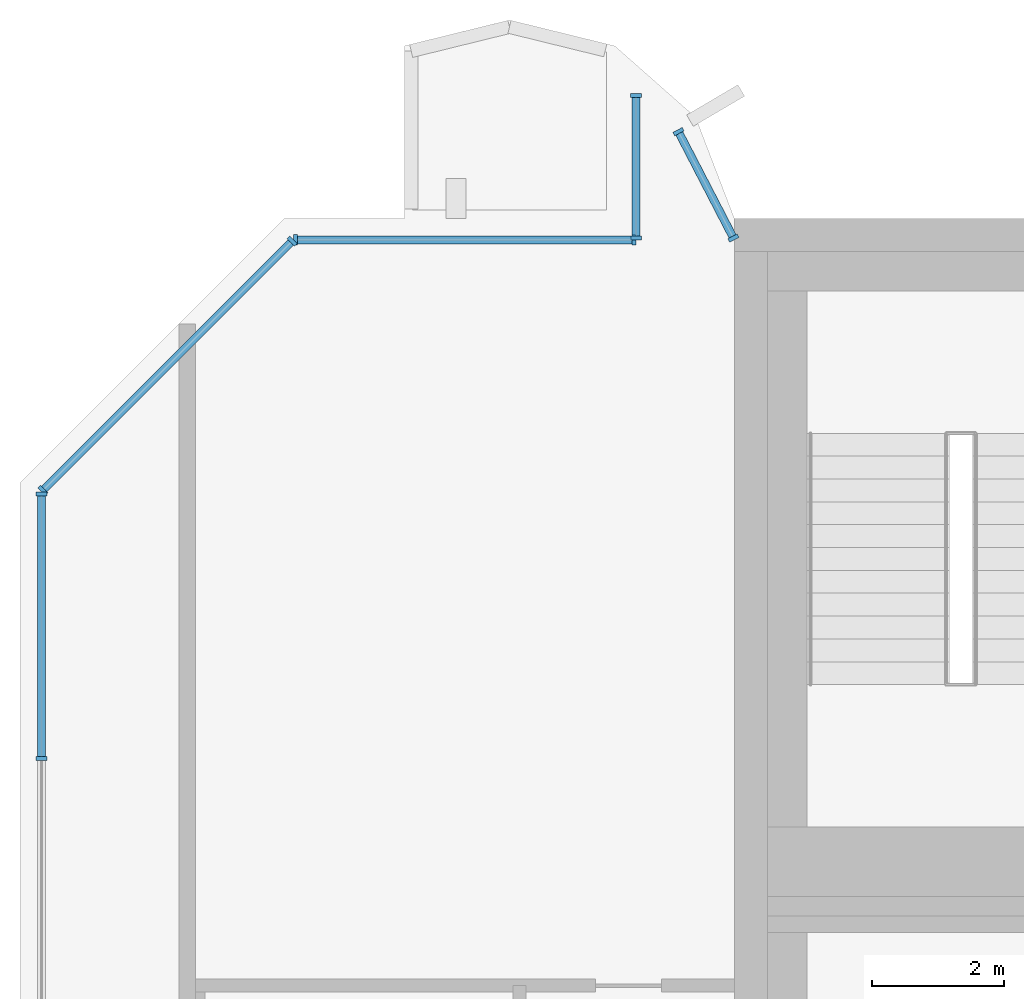
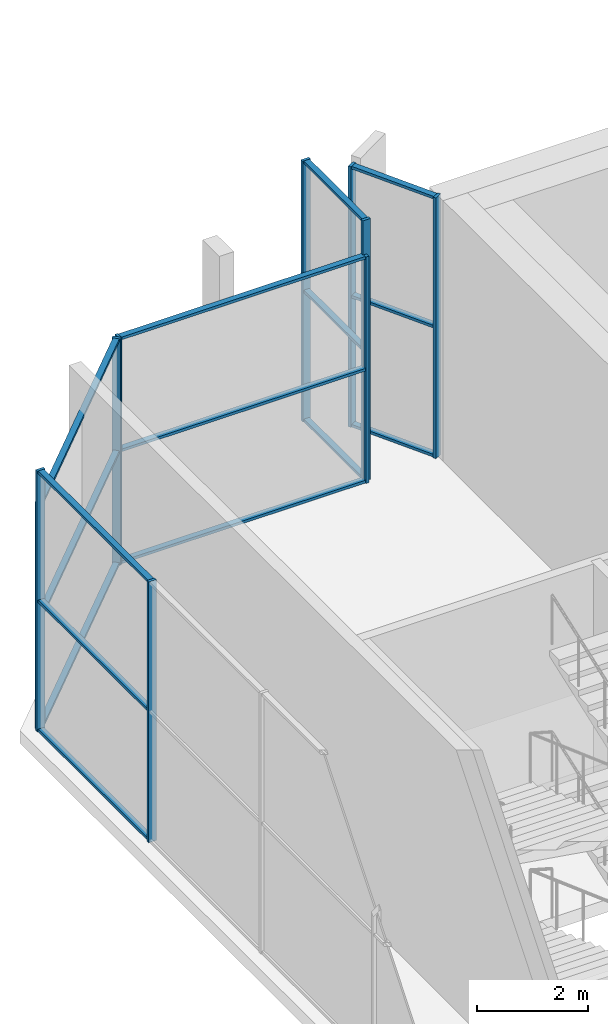
# One storey, part 6 of 17: 25 members, 5 elements without a shape of their own.
"""IFC4 building model written with IfcOpenShell, lengths in metres."""

from ifc_helpers import new_model, si_unit, direction, frame, origin, origin_2d, place, context, subcontext, project, spatial, rectangle, extrude, source, transform, mapped, material, material_profile, profile_set, type_object, element, aggregate, save


model = new_model("IFC4")

# Units and contexts
model_context = context("Model", 3, precision=1e-05, world=origin(), true_north=direction((0.0, 1.0)))
body_context = subcontext(model_context, "Body", "Model", "MODEL_VIEW")
ifc_project = project(units=[si_unit("LENGTHUNIT", "METRE"), si_unit("AREAUNIT", "SQUARE_METRE"), si_unit("VOLUMEUNIT", "CUBIC_METRE"), si_unit("PLANEANGLEUNIT", "RADIAN"), si_unit("MASSUNIT", "GRAM", prefix="KILO")], contexts=[model_context])

# Site, building, storey
site_placement = place(None, origin())
site = spatial("IfcSite", under=ifc_project, at=site_placement, CompositionType="ELEMENT")
building_placement = place(site_placement, origin())
building = spatial("IfcBuilding", under=site, at=building_placement, Name="Vanashikhar Sky Hotel", CompositionType="ELEMENT")
storey_placement = place(building_placement, frame((0.0, 0.0, 323.699951171875)))
storey = spatial("IfcBuildingStorey", under=building, at=storey_placement, Name="L77", CompositionType="ELEMENT", Elevation=323.699951171875)

# Curtain wall, members
ifc_material_1 = material(Name="Glass", Category="glass")
curtain_wall_type = type_object("IfcCurtainWallType", Name="Sky restaurant glazing", PredefinedType="NOTDEFINED", material=ifc_material_1)
curtain_wall_1_placement = place(storey_placement, origin())
curtain_wall_1 = element("IfcCurtainWall", 1, at=curtain_wall_1_placement, inside=storey, type_object=curtain_wall_type, Name="Sky restaurant glazing", PredefinedType="NOTDEFINED")
ifc_material_2 = material(Name="Aluminium 6063-T6", Category="aluminium")
ifc_material_profile_1 = material_profile(ifc_material_2, rectangle(XDim=0.159912109375, YDim=0.06005859375, at=origin_2d()))
ifc_profile_set_1 = profile_set([ifc_material_profile_1], Name="Aluminium 6063-T6")
member_type_1 = type_object("IfcMemberType", Name="Sky restaurant mullion 60 x 160", PredefinedType="MULLION", material=ifc_profile_set_1)
shared_shape_1 = source(origin(), body_context, "Body", "SweptSolid", [
    extrude(rectangle(XDim=0.159912109375, YDim=0.06005859375, at=origin_2d()), origin(), (0.0, 0.0, 1.0), 4.969970703125),
])
member_1_placement = place(storey_placement, frame((23.68310546875, 41.675048828125, 0.0), z_axis=(0.0, 0.0, 1.0), x_axis=(0.0, -1.0, 0.0)))
member_1 = element("IfcMember", 2, at=member_1_placement, type_object=member_type_1, Name="CW-5 mullion 1", PredefinedType="MULLION", context=body_context, shape_type="MappedRepresentation", body=[
    mapped(shared_shape_1, transform((0.0, 0.0, 0.0), scale=1.0)),
])
member_2_placement = place(storey_placement, frame((18.564697265625, 41.675048828125, 0.0), z_axis=(0.0, 0.0, 1.0), x_axis=(0.0, -1.0, 0.0)))
member_2 = element("IfcMember", 3, at=member_2_placement, type_object=member_type_1, Name="CW-5 mullion 2", PredefinedType="MULLION", context=body_context, shape_type="MappedRepresentation", body=[
    mapped(shared_shape_1, transform((0.0, 0.0, 0.0), scale=1.0)),
])

curtain_wall_2_placement = place(storey_placement, origin())
curtain_wall_2 = element("IfcCurtainWall", 4, at=curtain_wall_2_placement, inside=storey, type_object=curtain_wall_type, Name="Sky restaurant glazing", PredefinedType="NOTDEFINED")
member_3_placement = place(storey_placement, frame((18.513427734375, 41.65380859375, 0.0), z_axis=(0.0, 0.0, 1.0), x_axis=(0.707106781187, -0.707106781187, 0.0)))
member_3 = element("IfcMember", 5, at=member_3_placement, type_object=member_type_1, Name="CW-5 mullion 1", PredefinedType="MULLION", context=body_context, shape_type="MappedRepresentation", body=[
    mapped(shared_shape_1, transform((0.0, 0.0, 0.0), scale=1.0)),
])
member_4_placement = place(storey_placement, frame((14.74609375, 37.88671875, 0.0), z_axis=(0.0, 0.0, 1.0), x_axis=(0.707106781187, -0.707106781187, 0.0)))
member_4 = element("IfcMember", 6, at=member_4_placement, type_object=member_type_1, Name="CW-5 mullion 2", PredefinedType="MULLION", context=body_context, shape_type="MappedRepresentation", body=[
    mapped(shared_shape_1, transform((0.0, 0.0, 0.0), scale=1.0)),
])

curtain_wall_3_placement = place(storey_placement, origin())
curtain_wall_3 = element("IfcCurtainWall", 7, at=curtain_wall_3_placement, inside=storey, type_object=curtain_wall_type, Name="Sky restaurant glazing", PredefinedType="NOTDEFINED")
shared_shape_2 = source(origin(), body_context, "Body", "SweptSolid", [
    extrude(rectangle(XDim=0.159912109375, YDim=0.06005859375, at=origin_2d()), origin(), (0.0, 0.0, 1.0), 5.719970703125),
])
member_5_placement = place(storey_placement, frame((25.186279296875, 41.70166015625, 0.0), z_axis=(0.0, 0.0, 1.0), x_axis=(-0.888073920281, -0.459700676655, 0.0)))
member_5 = element("IfcMember", 8, at=member_5_placement, type_object=member_type_1, Name="CW-5 mullion 1", PredefinedType="MULLION", context=body_context, shape_type="MappedRepresentation", body=[
    mapped(shared_shape_2, transform((0.0, 0.0, 0.0), scale=1.0)),
])
member_6_placement = place(storey_placement, frame((24.35400390625, 43.3095703125, 0.0), z_axis=(0.0, 0.0, 1.0), x_axis=(-0.888073920281, -0.459700676655, 0.0)))
member_6 = element("IfcMember", 9, at=member_6_placement, type_object=member_type_1, Name="CW-5 mullion 2", PredefinedType="MULLION", context=body_context, shape_type="MappedRepresentation", body=[
    mapped(shared_shape_2, transform((0.0, 0.0, 0.0), scale=1.0)),
])

curtain_wall_4_placement = place(storey_placement, origin())
curtain_wall_4 = element("IfcCurtainWall", 10, at=curtain_wall_4_placement, inside=storey, type_object=curtain_wall_type, Name="Sky restaurant glazing", PredefinedType="NOTDEFINED")
member_7_placement = place(storey_placement, frame((23.712890625, 43.859619140625, 0.0), z_axis=(0.0, 0.0, 1.0), x_axis=(1.0, 0.0, 0.0)))
member_7 = element("IfcMember", 11, at=member_7_placement, type_object=member_type_1, Name="CW-5 mullion 1", PredefinedType="MULLION", context=body_context, shape_type="MappedRepresentation", body=[
    mapped(shared_shape_2, transform((0.0, 0.0, 0.0), scale=1.0)),
])
member_8_placement = place(storey_placement, frame((23.712890625, 41.705078125, 0.0), z_axis=(0.0, 0.0, 1.0), x_axis=(1.0, 0.0, 0.0)))
member_8 = element("IfcMember", 12, at=member_8_placement, type_object=member_type_1, Name="CW-5 mullion 2", PredefinedType="MULLION", context=body_context, shape_type="MappedRepresentation", body=[
    mapped(shared_shape_2, transform((0.0, 0.0, 0.0), scale=1.0)),
])

curtain_wall_5_placement = place(storey_placement, origin())
curtain_wall_5 = element("IfcCurtainWall", 13, at=curtain_wall_5_placement, inside=storey, type_object=curtain_wall_type, Name="Sky restaurant glazing", PredefinedType="NOTDEFINED")
member_9_placement = place(storey_placement, frame((14.72509765625, 37.83544921875, 0.0), z_axis=(0.0, 0.0, 1.0), x_axis=(1.0, 0.0, 0.0)))
member_9 = element("IfcMember", 14, at=member_9_placement, type_object=member_type_1, Name="CW-5 mullion 1", PredefinedType="MULLION", context=body_context, shape_type="MappedRepresentation", body=[
    mapped(shared_shape_2, transform((0.0, 0.0, 0.0), scale=1.0)),
])
member_10_placement = place(storey_placement, frame((14.72509765625, 33.83251953125, 0.0), z_axis=(0.0, 0.0, 1.0), x_axis=(1.0, 0.0, 0.0)))
member_10 = element("IfcMember", 15, at=member_10_placement, type_object=member_type_1, Name="CW-5 mullion 2", PredefinedType="MULLION", context=body_context, shape_type="MappedRepresentation", body=[
    mapped(shared_shape_2, transform((0.0, 0.0, 0.0), scale=1.0)),
])
ifc_material_profile_2 = material_profile(ifc_material_2, rectangle(XDim=0.1201171875, YDim=0.06005859375, at=origin_2d()))
ifc_profile_set_2 = profile_set([ifc_material_profile_2], Name="Aluminium 6063-T6")
member_type_2 = type_object("IfcMemberType", Name="Sky restaurant transom 60 x 120", PredefinedType="USERDEFINED", material=ifc_profile_set_2)
shared_shape_3 = source(origin(), body_context, "Body", "SweptSolid", [
    extrude(rectangle(XDim=0.1201171875, YDim=0.06005859375, at=origin_2d()), origin(), (0.0, 0.0, 1.0), 3.94287109375),
])
member_11_placement = place(storey_placement, frame((14.72509765625, 37.805419921875, 0.030029296875), z_axis=(0.0, -1.0, 0.0), x_axis=(1.0, 0.0, 0.0)))
member_11 = element("IfcMember", 16, at=member_11_placement, type_object=member_type_2, Name="CW-5 transom 1.1", ObjectType="TRANSOM", PredefinedType="USERDEFINED", context=body_context, shape_type="MappedRepresentation", body=[
    mapped(shared_shape_3, transform((0.0, 0.0, 0.0), scale=1.0)),
])
member_12_placement = place(storey_placement, frame((14.72509765625, 37.805419921875, 2.860107421875), z_axis=(0.0, -1.0, 0.0), x_axis=(1.0, 0.0, 0.0)))
member_12 = element("IfcMember", 17, at=member_12_placement, type_object=member_type_2, Name="CW-5 transom 1.2", ObjectType="TRANSOM", PredefinedType="USERDEFINED", context=body_context, shape_type="MappedRepresentation", body=[
    mapped(shared_shape_3, transform((0.0, 0.0, 0.0), scale=1.0)),
])
member_13_placement = place(storey_placement, frame((14.72509765625, 37.805419921875, 5.68994140625), z_axis=(0.0, -1.0, 0.0), x_axis=(1.0, 0.0, 0.0)))
member_13 = element("IfcMember", 18, at=member_13_placement, type_object=member_type_2, Name="CW-5 transom 1.3", ObjectType="TRANSOM", PredefinedType="USERDEFINED", context=body_context, shape_type="MappedRepresentation", body=[
    mapped(shared_shape_3, transform((0.0, 0.0, 0.0), scale=1.0)),
])
aggregate(curtain_wall_5, [member_9, member_10, member_11, member_12, member_13])

# Member
shared_shape_4 = source(origin(), body_context, "Body", "SweptSolid", [
    extrude(rectangle(XDim=0.1201171875, YDim=0.06005859375, at=origin_2d()), origin(), (0.0, 0.0, 1.0), 2.094482421875),
])
member_14_placement = place(storey_placement, frame((23.712890625, 43.82958984375, 0.030029296875), z_axis=(0.0, -1.0, 0.0), x_axis=(1.0, 0.0, 0.0)))
member_14 = element("IfcMember", 19, at=member_14_placement, type_object=member_type_2, Name="CW-5 transom 1.1", ObjectType="TRANSOM", PredefinedType="USERDEFINED", context=body_context, shape_type="MappedRepresentation", body=[
    mapped(shared_shape_4, transform((0.0, 0.0, 0.0), scale=1.0)),
])

member_15_placement = place(storey_placement, frame((23.712890625, 43.82958984375, 2.860107421875), z_axis=(0.0, -1.0, 0.0), x_axis=(1.0, 0.0, 0.0)))
member_15 = element("IfcMember", 20, at=member_15_placement, type_object=member_type_2, Name="CW-5 transom 1.2", ObjectType="TRANSOM", PredefinedType="USERDEFINED", context=body_context, shape_type="MappedRepresentation", body=[
    mapped(shared_shape_4, transform((0.0, 0.0, 0.0), scale=1.0)),
])

member_16_placement = place(storey_placement, frame((23.712890625, 43.82958984375, 5.68994140625), z_axis=(0.0, -1.0, 0.0), x_axis=(1.0, 0.0, 0.0)))
member_16 = element("IfcMember", 21, at=member_16_placement, type_object=member_type_2, Name="CW-5 transom 1.3", ObjectType="TRANSOM", PredefinedType="USERDEFINED", context=body_context, shape_type="MappedRepresentation", body=[
    mapped(shared_shape_4, transform((0.0, 0.0, 0.0), scale=1.0)),
])

aggregate(curtain_wall_4, [member_7, member_8, member_14, member_15, member_16])

shared_shape_5 = source(origin(), body_context, "Body", "SweptSolid", [
    extrude(rectangle(XDim=0.1201171875, YDim=0.06005859375, at=origin_2d()), origin(), (0.0, 0.0, 1.0), 1.75048828125),
])
member_17_placement = place(storey_placement, frame((25.17236328125, 41.728271484375, 0.030029296875), z_axis=(-0.4596657168, 0.888092015953, 0.0), x_axis=(-0.888092015953, -0.4596657168, 0.0)))
member_17 = element("IfcMember", 22, at=member_17_placement, type_object=member_type_2, Name="CW-5 transom 1.1", ObjectType="TRANSOM", PredefinedType="USERDEFINED", context=body_context, shape_type="MappedRepresentation", body=[
    mapped(shared_shape_5, transform((0.0, 0.0, 0.0), scale=1.0)),
])

member_18_placement = place(storey_placement, frame((25.17236328125, 41.728271484375, 2.860107421875), z_axis=(-0.4596657168, 0.888092015953, 0.0), x_axis=(-0.888092015953, -0.4596657168, 0.0)))
member_18 = element("IfcMember", 23, at=member_18_placement, type_object=member_type_2, Name="CW-5 transom 1.2", ObjectType="TRANSOM", PredefinedType="USERDEFINED", context=body_context, shape_type="MappedRepresentation", body=[
    mapped(shared_shape_5, transform((0.0, 0.0, 0.0), scale=1.0)),
])

member_19_placement = place(storey_placement, frame((25.17236328125, 41.728271484375, 5.68994140625), z_axis=(-0.4596657168, 0.888092015953, 0.0), x_axis=(-0.888092015953, -0.4596657168, 0.0)))
member_19 = element("IfcMember", 24, at=member_19_placement, type_object=member_type_2, Name="CW-5 transom 1.3", ObjectType="TRANSOM", PredefinedType="USERDEFINED", context=body_context, shape_type="MappedRepresentation", body=[
    mapped(shared_shape_5, transform((0.0, 0.0, 0.0), scale=1.0)),
])

aggregate(curtain_wall_3, [member_5, member_6, member_17, member_18, member_19])

shared_shape_6 = source(origin(), body_context, "Body", "SweptSolid", [
    extrude(rectangle(XDim=0.1201171875, YDim=0.06005859375, at=origin_2d()), origin(), (0.0, 0.0, 1.0), 5.05859375),
])
member_20_placement = place(storey_placement, frame((23.653076171875, 41.675048828125, 0.030029296875), z_axis=(-1.0, 0.0, 0.0), x_axis=(0.0, -1.0, 0.0)))
member_20 = element("IfcMember", 25, at=member_20_placement, type_object=member_type_2, Name="CW-5 transom 1.1", ObjectType="TRANSOM", PredefinedType="USERDEFINED", context=body_context, shape_type="MappedRepresentation", body=[
    mapped(shared_shape_6, transform((0.0, 0.0, 0.0), scale=1.0)),
])

member_21_placement = place(storey_placement, frame((23.653076171875, 41.675048828125, 2.485107421875), z_axis=(-1.0, 0.0, 0.0), x_axis=(0.0, -1.0, 0.0)))
member_21 = element("IfcMember", 26, at=member_21_placement, type_object=member_type_2, Name="CW-5 transom 1.2", ObjectType="TRANSOM", PredefinedType="USERDEFINED", context=body_context, shape_type="MappedRepresentation", body=[
    mapped(shared_shape_6, transform((0.0, 0.0, 0.0), scale=1.0)),
])

member_22_placement = place(storey_placement, frame((23.653076171875, 41.675048828125, 4.93994140625), z_axis=(-1.0, 0.0, 0.0), x_axis=(0.0, -1.0, 0.0)))
member_22 = element("IfcMember", 27, at=member_22_placement, type_object=member_type_2, Name="CW-5 transom 1.3", ObjectType="TRANSOM", PredefinedType="USERDEFINED", context=body_context, shape_type="MappedRepresentation", body=[
    mapped(shared_shape_6, transform((0.0, 0.0, 0.0), scale=1.0)),
])

aggregate(curtain_wall_1, [member_1, member_2, member_20, member_21, member_22])

shared_shape_7 = source(origin(), body_context, "Body", "SweptSolid", [
    extrude(rectangle(XDim=0.1201171875, YDim=0.06005859375, at=origin_2d()), origin(), (0.0, 0.0, 1.0), 5.267822265625),
])
member_23_placement = place(storey_placement, frame((18.4921875, 41.632568359375, 0.030029296875), z_axis=(-0.707106781187, -0.707106781187, 0.0), x_axis=(0.707106781187, -0.707106781187, 0.0)))
member_23 = element("IfcMember", 28, at=member_23_placement, type_object=member_type_2, Name="CW-5 transom 1.1", ObjectType="TRANSOM", PredefinedType="USERDEFINED", context=body_context, shape_type="MappedRepresentation", body=[
    mapped(shared_shape_7, transform((0.0, 0.0, 0.0), scale=1.0)),
])

member_24_placement = place(storey_placement, frame((18.4921875, 41.632568359375, 2.485107421875), z_axis=(-0.707106781187, -0.707106781187, 0.0), x_axis=(0.707106781187, -0.707106781187, 0.0)))
member_24 = element("IfcMember", 29, at=member_24_placement, type_object=member_type_2, Name="CW-5 transom 1.2", ObjectType="TRANSOM", PredefinedType="USERDEFINED", context=body_context, shape_type="MappedRepresentation", body=[
    mapped(shared_shape_7, transform((0.0, 0.0, 0.0), scale=1.0)),
])

member_25_placement = place(storey_placement, frame((18.4921875, 41.632568359375, 4.93994140625), z_axis=(-0.707106781187, -0.707106781187, 0.0), x_axis=(0.707106781187, -0.707106781187, 0.0)))
member_25 = element("IfcMember", 30, at=member_25_placement, type_object=member_type_2, Name="CW-5 transom 1.3", ObjectType="TRANSOM", PredefinedType="USERDEFINED", context=body_context, shape_type="MappedRepresentation", body=[
    mapped(shared_shape_7, transform((0.0, 0.0, 0.0), scale=1.0)),
])

aggregate(curtain_wall_2, [member_3, member_4, member_23, member_24, member_25])

save(model, "model.ifc")
